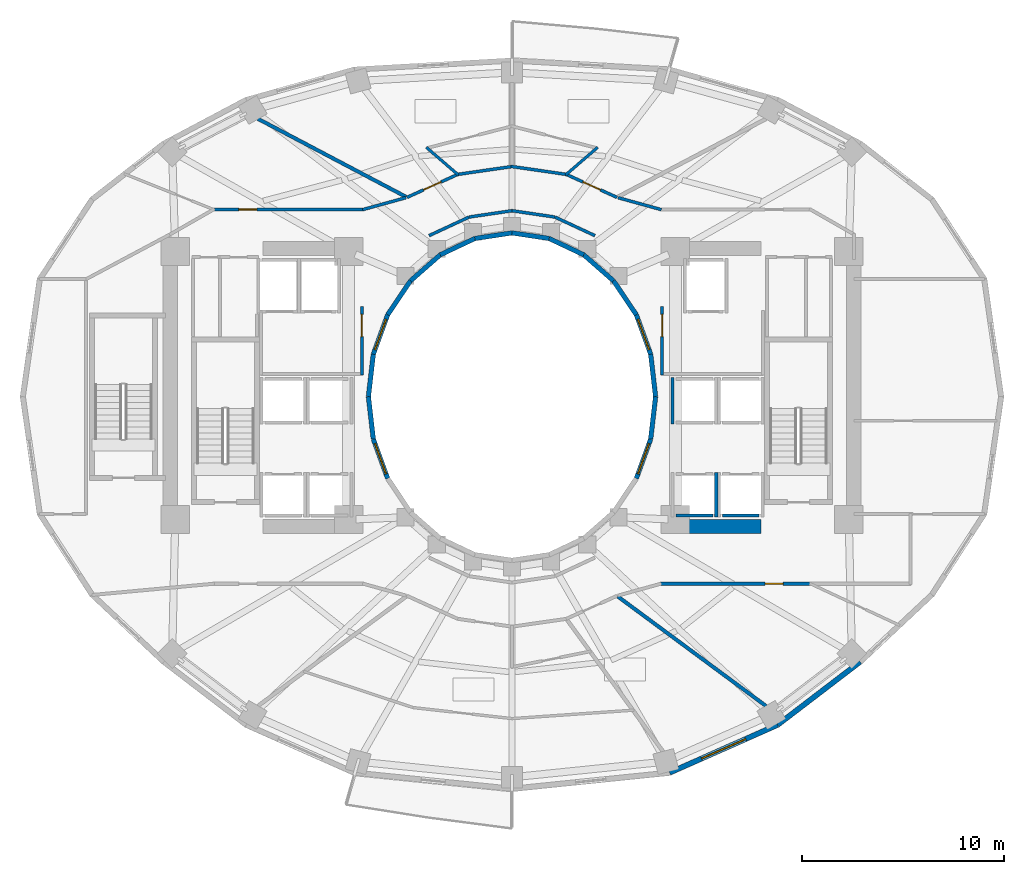
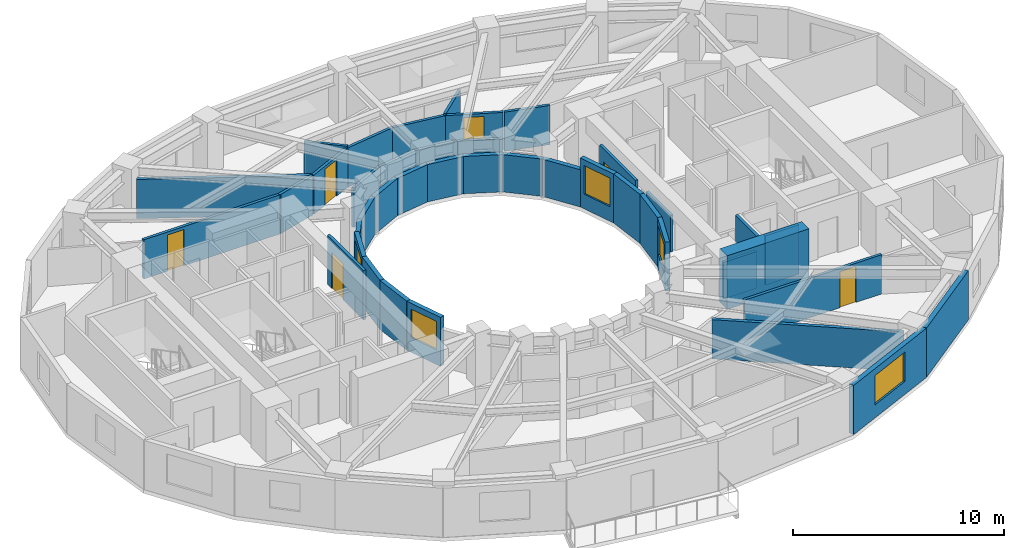
# One storey, part 5 of 9: 41 walls, 6 doors, 5 windows, 11 openings.
"""IFC4 building model written with IfcOpenShell, lengths in metres."""

from ifc_helpers import new_model, si_unit, direction, frame, frame_2d, origin, place, context, subcontext, project, spatial, rectangle, extrude, material, layer, layer_set, type_object, element, fill, save


model = new_model("IFC4")

# Units and contexts
model_context = context("Model", 3, precision=1e-05, world=origin(), true_north=direction((0.0, 1.0)))
body_context = subcontext(model_context, "Body", "Model", "MODEL_VIEW")
ifc_project = project(units=[si_unit("LENGTHUNIT", "METRE"), si_unit("AREAUNIT", "SQUARE_METRE"), si_unit("VOLUMEUNIT", "CUBIC_METRE"), si_unit("PLANEANGLEUNIT", "RADIAN"), si_unit("MASSUNIT", "GRAM", prefix="KILO")], contexts=[model_context])

# Site, building, storey
site_placement = place(None, origin())
site = spatial("IfcSite", under=ifc_project, at=site_placement, CompositionType="ELEMENT")
building_placement = place(site_placement, origin())
building = spatial("IfcBuilding", under=site, at=building_placement, Name="Solvane Sanctuary Tower", CompositionType="ELEMENT")
storey_placement = place(building_placement, frame((0.0, 0.0, 98.0)))
storey = spatial("IfcBuildingStorey", under=building, at=storey_placement, Name="L29", CompositionType="ELEMENT", Elevation=98.0)

# Wall
ifc_material_1 = material(Name="Concrete C60/75", Category="concrete")
ifc_layer_1 = layer(ifc_material_1, 0.699951171875, Name="Concrete C60/75")
ifc_layer_set_1 = layer_set([ifc_layer_1], Name="Concrete C60/75")
wall_type_1 = type_object("IfcWallType", Name="Wall W-CORE-700", PredefinedType="SHEAR", material=ifc_layer_set_1)
wall_1_placement = place(storey_placement, frame((39.85009765625, 16.550048828125, 0.0), z_axis=(0.0, 0.0, 1.0), x_axis=(1.0, 0.0, 0.0)))
element("IfcWall", 1, at=wall_1_placement, inside=storey, type_object=wall_type_1, Name="L29 Core Shear Wall EC-S", PredefinedType="SHEAR", context=body_context, shape_type="SweptSolid", body=[
    extrude(rectangle(XDim=4.5, YDim=0.699951171875, at=frame_2d((2.25, 0.0))), origin(), (0.0, 0.0, 1.0), 3.10009765625),
])

# Wall, opening, door
ifc_material_2 = material(Name="Acoustic Gypsum Partition Board")
ifc_layer_2 = layer(ifc_material_2, 0.14990234375, Name="Acoustic Gypsum Partition Board")
ifc_layer_set_2 = layer_set([ifc_layer_2], Name="Acoustic Gypsum Partition Board")
wall_type_2 = type_object("IfcWallType", Name="Wall W-CORR-150", PredefinedType="PARTITIONING", material=ifc_layer_set_2)
wall_2_placement = place(storey_placement, frame((24.550048828125, 24.080078125, 0.0), z_axis=(0.0, 0.0, 1.0), x_axis=(0.0, 1.0, 0.0)))
wall_2 = element("IfcWall", 2, at=wall_2_placement, inside=storey, type_object=wall_type_2, Name="L29 West Firefighting Lobby East Wall", PredefinedType="PARTITIONING", context=body_context, shape_type="SweptSolid", body=[
    extrude(rectangle(XDim=3.39990234375, YDim=0.14990234375, at=frame_2d((1.699951171875, 0.0))), origin(), (0.0, 0.0, 1.0), 2.85498046875),
])
opening_1_placement = place(wall_2_placement, frame((1.893798828125, 0.0, 0.0)))
opening_1 = element("IfcOpeningElement", 3, at=opening_1_placement, cuts=wall_2, Name="Opening D-L29-06", PredefinedType="OPENING", context=body_context, shape_type="SweptSolid", body=[
    extrude(rectangle(XDim=1.10009765625, YDim=2.10009765625, at=frame_2d((0.550048828125, 1.050048828125))), frame((0.0, 0.0849609375, 0.0), z_axis=(0.0, -1.0, 0.0), x_axis=(1.0, 0.0, 0.0)), (0.0, 0.0, 1.0), 0.169921875),
])
ifc_material_3 = material(Name="Architectural Stainless Steel 316", Category="steel")
door_type_1 = type_object("IfcDoorType", Name="Door D-FFL", OperationType="NOTDEFINED", PredefinedType="DOOR", material=ifc_material_3)
door_1_placement = place(opening_1_placement, origin())
door_1 = element("IfcDoor", 4, at=door_1_placement, inside=storey, type_object=door_type_1, Name="L29 West Firefighting Lobby Fire Door", OperationType="SINGLE_SWING_RIGHT", OverallHeight=2.10009765625, OverallWidth=1.10009765625, PredefinedType="DOOR", context=body_context, shape_type="SweptSolid", body=[
    extrude(rectangle(XDim=1.10009765625, YDim=2.10009765625, at=frame_2d((0.550048828125, 1.050048828125))), frame((0.0, 0.02490234375, 0.0), z_axis=(0.0, -1.0, 0.0), x_axis=(1.0, 0.0, 0.0)), (0.0, 0.0, 1.0), 0.050048828125),
])
fill(opening_1, door_1)

wall_3_placement = place(storey_placement, frame((39.449951171875, 24.080078125, 0.0), z_axis=(0.0, 0.0, 1.0), x_axis=(0.0, 1.0, 0.0)))
wall_3 = element("IfcWall", 5, at=wall_3_placement, inside=storey, type_object=wall_type_2, Name="L29 East Firefighting Lobby West Wall", PredefinedType="PARTITIONING", context=body_context, shape_type="SweptSolid", body=[
    extrude(rectangle(XDim=3.39990234375, YDim=0.14990234375, at=frame_2d((1.699951171875, 0.0))), origin(), (0.0, 0.0, 1.0), 2.85498046875),
])
opening_2_placement = place(wall_3_placement, frame((1.893798828125, 0.0, 0.0)))
opening_2 = element("IfcOpeningElement", 6, at=opening_2_placement, cuts=wall_3, Name="Opening D-L29-07", PredefinedType="OPENING", context=body_context, shape_type="SweptSolid", body=[
    extrude(rectangle(XDim=1.10009765625, YDim=2.10009765625, at=frame_2d((0.550048828125, 1.050048828125))), frame((0.0, 0.0849609375, 0.0), z_axis=(0.0, -1.0, 0.0), x_axis=(1.0, 0.0, 0.0)), (0.0, 0.0, 1.0), 0.169921875),
])
door_2_placement = place(opening_2_placement, origin())
door_2 = element("IfcDoor", 7, at=door_2_placement, inside=storey, type_object=door_type_1, Name="L29 East Firefighting Lobby Fire Door", OperationType="SINGLE_SWING_LEFT", OverallHeight=2.10009765625, OverallWidth=1.10009765625, PredefinedType="DOOR", context=body_context, shape_type="SweptSolid", body=[
    extrude(rectangle(XDim=1.10009765625, YDim=2.10009765625, at=frame_2d((0.550048828125, 1.050048828125))), frame((0.0, 0.02490234375, 0.0), z_axis=(0.0, -1.0, 0.0), x_axis=(1.0, 0.0, 0.0)), (0.0, 0.0, 1.0), 0.050048828125),
])
fill(opening_2, door_2)

# Walls
wall_4_placement = place(storey_placement, frame((36.110107421875, 30.98486328125, 0.0), z_axis=(0.0, 0.0, 1.0), x_axis=(-0.906943449489, 0.421252393975, 0.0)))
element("IfcWall", 8, at=wall_4_placement, inside=storey, type_object=wall_type_2, Name="L29 Light-Well Corridor Rim Wall N1", PredefinedType="PARTITIONING", context=body_context, shape_type="SweptSolid", body=[
    extrude(rectangle(XDim=2.18603515625, YDim=0.14990234375, at=frame_2d((1.093017578125, 0.0))), origin(), (0.0, 0.0, 1.0), 2.27197265625),
])
for number, where, z_axis, x_axis, name in (
    (9, (34.12744140625, 31.90576171875, 0.0), (0.0, 0.0, 1.0), (-0.989268584896, 0.146108408166, 0.0), "L29 Light-Well Corridor Rim Wall N2"),
    (10, (32.0, 32.219970703125, 0.0), (0.0, 0.0, 1.0), (-0.989268584896, -0.146108408166, 0.0), "L29 Light-Well Corridor Rim Wall N3"),
):
    element("IfcWall", number, at=place(storey_placement, frame(where, z_axis=z_axis, x_axis=x_axis)), inside=storey, type_object=wall_type_2, Name=name, PredefinedType="PARTITIONING", context=body_context, shape_type="SweptSolid", body=[
        extrude(rectangle(XDim=2.150634765625, YDim=0.14990234375, at=frame_2d((1.0751953125, 0.0))), origin(), (0.0, 0.0, 1.0), 2.27197265625),
    ])
wall_5_placement = place(storey_placement, frame((29.87255859375, 31.90576171875, 0.0), z_axis=(0.0, 0.0, 1.0), x_axis=(-0.906943449489, -0.421252393975, 0.0)))
element("IfcWall", 11, at=wall_5_placement, inside=storey, type_object=wall_type_2, Name="L29 Light-Well Corridor Rim Wall N4", PredefinedType="PARTITIONING", context=body_context, shape_type="SweptSolid", body=[
    extrude(rectangle(XDim=2.18603515625, YDim=0.14990234375, at=frame_2d((1.093017578125, 0.0))), origin(), (0.0, 0.0, 1.0), 2.27197265625),
])
for number, where, z_axis, x_axis, name in (
    (12, (37.258056640625, 32.86669921875, 0.0), (0.0, 0.0, 1.0), (0.963833843713, -0.266503886865, 0.0), "L29 NE Corner Throat Wall"),
    (13, (26.741943359375, 32.86669921875, 0.0), (0.0, 0.0, 1.0), (-0.963833843713, -0.266503886865, 0.0), "L29 NW Corner Throat Wall"),
):
    element("IfcWall", number, at=place(storey_placement, frame(where, z_axis=z_axis, x_axis=x_axis)), inside=storey, type_object=wall_type_2, Name=name, PredefinedType="PARTITIONING", context=body_context, shape_type="SweptSolid", body=[
        extrude(rectangle(XDim=2.231689453125, YDim=0.14990234375, at=frame_2d((1.11572265625, 0.0))), origin(), (0.0, 0.0, 1.0), 2.27197265625),
    ])

# Wall, opening, door
wall_6_placement = place(storey_placement, frame((17.14990234375, 32.280029296875, 0.0), z_axis=(0.0, 0.0, 1.0), x_axis=(1.0, 0.0, 0.0)))
wall_6 = element("IfcWall", 14, at=wall_6_placement, inside=storey, type_object=wall_type_2, Name="L29 NW Corner Corridor Wall", PredefinedType="PARTITIONING", context=body_context, shape_type="SweptSolid", body=[
    extrude(rectangle(XDim=7.52001953125, YDim=0.14990234375, at=frame_2d((3.760009765625, 0.0))), origin(), (0.0, 0.0, 1.0), 2.27197265625),
])
opening_3_placement = place(wall_6_placement, frame((1.300048828125, 0.0, 0.0)))
opening_3 = element("IfcOpeningElement", 15, at=opening_3_placement, cuts=wall_6, Name="Opening D-L29-17", PredefinedType="OPENING", context=body_context, shape_type="SweptSolid", body=[
    extrude(rectangle(XDim=0.89990234375, YDim=2.10009765625, at=frame_2d((0.449951171875, 1.050048828125))), frame((0.0, 0.0849609375, 0.0), z_axis=(0.0, -1.0, 0.0), x_axis=(1.0, 0.0, 0.0)), (0.0, 0.0, 1.0), 0.169921875),
])
ifc_material_4 = material(Name="Engineered Tropical Hardwood", Category="wood")
door_type_2 = type_object("IfcDoorType", Name="Door D-WET-900", OperationType="NOTDEFINED", PredefinedType="DOOR", material=ifc_material_4)
door_3_placement = place(opening_3_placement, origin())
door_3 = element("IfcDoor", 16, at=door_3_placement, inside=storey, type_object=door_type_2, Name="L29 NW Corner Salon Door", OperationType="SINGLE_SWING_LEFT", OverallHeight=2.10009765625, OverallWidth=0.89990234375, PredefinedType="DOOR", context=body_context, shape_type="SweptSolid", body=[
    extrude(rectangle(XDim=0.89990234375, YDim=2.10009765625, at=frame_2d((0.449951171875, 1.050048828125))), frame((0.0, 0.02490234375, 0.0), z_axis=(0.0, -1.0, 0.0), x_axis=(1.0, 0.0, 0.0)), (0.0, 0.0, 1.0), 0.050048828125),
])
fill(opening_3, door_3)

wall_7_placement = place(storey_placement, frame((39.330078125, 13.719970703125, 0.0), z_axis=(0.0, 0.0, 1.0), x_axis=(1.0, 0.0, 0.0)))
wall_7 = element("IfcWall", 17, at=wall_7_placement, inside=storey, type_object=wall_type_2, Name="L29 SE Corner Corridor Wall", PredefinedType="PARTITIONING", context=body_context, shape_type="SweptSolid", body=[
    extrude(rectangle(XDim=7.52001953125, YDim=0.14990234375, at=frame_2d((3.760009765625, 0.0))), origin(), (0.0, 0.0, 1.0), 2.27197265625),
])
opening_4_placement = place(wall_7_placement, frame((5.219970703125, 0.0, 0.0)))
opening_4 = element("IfcOpeningElement", 18, at=opening_4_placement, cuts=wall_7, Name="Opening D-L29-20", PredefinedType="OPENING", context=body_context, shape_type="SweptSolid", body=[
    extrude(rectangle(XDim=0.89990234375, YDim=2.10009765625, at=frame_2d((0.449951171875, 1.050048828125))), frame((0.0, 0.0849609375, 0.0), z_axis=(0.0, -1.0, 0.0), x_axis=(1.0, 0.0, 0.0)), (0.0, 0.0, 1.0), 0.169921875),
])
door_4_placement = place(opening_4_placement, origin())
door_4 = element("IfcDoor", 19, at=door_4_placement, inside=storey, type_object=door_type_2, Name="L29 SE Corner Salon Door", OperationType="SINGLE_SWING_RIGHT", OverallHeight=2.10009765625, OverallWidth=0.89990234375, PredefinedType="DOOR", context=body_context, shape_type="SweptSolid", body=[
    extrude(rectangle(XDim=0.89990234375, YDim=2.10009765625, at=frame_2d((0.449951171875, 1.050048828125))), frame((0.0, 0.02490234375, 0.0), z_axis=(0.0, -1.0, 0.0), x_axis=(1.0, 0.0, 0.0)), (0.0, 0.0, 1.0), 0.050048828125),
])
fill(opening_4, door_4)

# Wall
wall_8_placement = place(storey_placement, frame((34.743896484375, 34.01416015625, 0.0), z_axis=(0.0, 0.0, 1.0), x_axis=(-0.989761784218, 0.142729150844, 0.0)))
element("IfcWall", 20, at=wall_8_placement, inside=storey, type_object=wall_type_2, Name="L29 En-suite Inner Wall N1", PredefinedType="PARTITIONING", context=body_context, shape_type="SweptSolid", body=[
    extrude(rectangle(XDim=2.822265625, YDim=0.14990234375, at=frame_2d((1.4111328125, 0.0))), origin(), (0.0, 0.0, 1.0), 2.27197265625),
])

# Wall, opening, door
wall_9_placement = place(storey_placement, frame((37.211181640625, 32.87744140625, 0.0), z_axis=(0.0, 0.0, 1.0), x_axis=(-0.910568469686, 0.41335827319, 0.0)))
wall_9 = element("IfcWall", 21, at=wall_9_placement, inside=storey, type_object=wall_type_2, Name="L29 Unit Corridor Wall N1", PredefinedType="PARTITIONING", context=body_context, shape_type="SweptSolid", body=[
    extrude(rectangle(XDim=2.771728515625, YDim=0.14990234375, at=frame_2d((1.3857421875, 0.0))), origin(), (0.0, 0.0, 1.0), 2.27197265625),
])
opening_5_placement = place(wall_9_placement, frame((0.910888671875, 0.0, 0.0)))
opening_5 = element("IfcOpeningElement", 22, at=opening_5_placement, cuts=wall_9, Name="Opening D-L29-22", PredefinedType="OPENING", context=body_context, shape_type="SweptSolid", body=[
    extrude(rectangle(XDim=0.949951171875, YDim=2.10009765625, at=frame_2d((0.47509765625, 1.050048828125))), frame((0.0, 0.0849609375, 0.0), z_axis=(0.0, -1.0, 0.0), x_axis=(1.0, 0.0, 0.0)), (0.0, 0.0, 1.0), 0.169921875),
])
door_type_3 = type_object("IfcDoorType", Name="Door D-ROOM-950", OperationType="NOTDEFINED", PredefinedType="DOOR", material=ifc_material_4)
door_5_placement = place(opening_5_placement, origin())
door_5 = element("IfcDoor", 23, at=door_5_placement, inside=storey, type_object=door_type_3, Name="L29 Unit Entrance Door N1", OperationType="SINGLE_SWING_RIGHT", OverallHeight=2.10009765625, OverallWidth=0.949951171875, PredefinedType="DOOR", context=body_context, shape_type="SweptSolid", body=[
    extrude(rectangle(XDim=0.949951171875, YDim=2.10009765625, at=frame_2d((0.47509765625, 1.050048828125))), frame((0.0, 0.02490234375, 0.0), z_axis=(0.0, -1.0, 0.0), x_axis=(1.0, 0.0, 0.0)), (0.0, 0.0, 1.0), 0.050048828125),
])
fill(opening_5, door_5)

# Wall
wall_10_placement = place(storey_placement, frame((32.049560546875, 34.4169921875, 0.0), z_axis=(0.0, 0.0, 1.0), x_axis=(-0.989761784218, -0.142729150844, 0.0)))
element("IfcWall", 24, at=wall_10_placement, inside=storey, type_object=wall_type_2, Name="L29 En-suite Inner Wall N2", PredefinedType="PARTITIONING", context=body_context, shape_type="SweptSolid", body=[
    extrude(rectangle(XDim=2.822265625, YDim=0.14990234375, at=frame_2d((1.4111328125, 0.0))), origin(), (0.0, 0.0, 1.0), 2.27197265625),
])

# Wall, opening, door
wall_11_placement = place(storey_placement, frame((29.312744140625, 34.023193359375, 0.0), z_axis=(0.0, 0.0, 1.0), x_axis=(-0.910568469686, -0.41335827319, 0.0)))
wall_11 = element("IfcWall", 25, at=wall_11_placement, inside=storey, type_object=wall_type_2, Name="L29 Unit Corridor Wall N2", PredefinedType="PARTITIONING", context=body_context, shape_type="SweptSolid", body=[
    extrude(rectangle(XDim=2.771728515625, YDim=0.14990234375, at=frame_2d((1.3857421875, 0.0))), origin(), (0.0, 0.0, 1.0), 2.27197265625),
])
opening_6_placement = place(wall_11_placement, frame((0.910888671875, 0.0, 0.0)))
opening_6 = element("IfcOpeningElement", 26, at=opening_6_placement, cuts=wall_11, Name="Opening D-L29-24", PredefinedType="OPENING", context=body_context, shape_type="SweptSolid", body=[
    extrude(rectangle(XDim=0.949951171875, YDim=2.10009765625, at=frame_2d((0.47509765625, 1.050048828125))), frame((0.0, 0.0849609375, 0.0), z_axis=(0.0, -1.0, 0.0), x_axis=(1.0, 0.0, 0.0)), (0.0, 0.0, 1.0), 0.169921875),
])
door_6_placement = place(opening_6_placement, origin())
door_6 = element("IfcDoor", 27, at=door_6_placement, inside=storey, type_object=door_type_3, Name="L29 Unit Entrance Door N2", OperationType="SINGLE_SWING_RIGHT", OverallHeight=2.10009765625, OverallWidth=0.949951171875, PredefinedType="DOOR", context=body_context, shape_type="SweptSolid", body=[
    extrude(rectangle(XDim=0.949951171875, YDim=2.10009765625, at=frame_2d((0.47509765625, 1.050048828125))), frame((0.0, 0.02490234375, 0.0), z_axis=(0.0, -1.0, 0.0), x_axis=(1.0, 0.0, 0.0)), (0.0, 0.0, 1.0), 0.050048828125),
])
fill(opening_6, door_6)

# Wall, opening, window
ifc_material_5 = material(Name="Precast concrete C40/50", Category="concrete")
ifc_layer_3 = layer(ifc_material_5, 0.260009765625, Name="Precast concrete C40/50")
ifc_layer_set_3 = layer_set([ifc_layer_3], Name="Precast concrete C40/50")
wall_type_3 = type_object("IfcWallType", Name="Wall W-EXT-250", PredefinedType="STANDARD", material=ifc_layer_set_3)
wall_12_placement = place(storey_placement, frame((39.81640625, 4.349365234375, 0.0), z_axis=(0.0, 0.0, 1.0), x_axis=(0.914336605747, 0.404955023911, 0.0)))
wall_12 = element("IfcWall", 28, at=wall_12_placement, inside=storey, type_object=wall_type_3, Name="L29 Ceramic-Printed Facade Wall 19", PredefinedType="STANDARD", context=body_context, shape_type="SweptSolid", body=[
    extrude(rectangle(XDim=5.85888671875, YDim=0.260009765625, at=frame_2d((2.929443359375, 0.0))), origin(), (0.0, 0.0, 1.0), 2.85009765625),
])
opening_7_placement = place(wall_12_placement, frame((1.7294921875, 0.0, 0.75)))
opening_7 = element("IfcOpeningElement", 29, at=opening_7_placement, cuts=wall_12, Name="Opening WN-RIB-2400", PredefinedType="OPENING", context=body_context, shape_type="SweptSolid", body=[
    extrude(rectangle(XDim=2.39990234375, YDim=1.699951171875, at=frame_2d((1.199951171875, 0.85009765625))), frame((0.0, 0.139892578125, 0.0), z_axis=(0.0, -1.0, 0.0), x_axis=(1.0, 0.0, 0.0)), (0.0, 0.0, 1.0), 0.280029296875),
])
ifc_material_6 = material(Name="Dark Ceramic-Fritted Low-E Glass", Category="glass")
window_type_1 = type_object("IfcWindowType", Name="Window WN-RIB-2400", PartitioningType="SINGLE_PANEL", PredefinedType="WINDOW", material=ifc_material_6)
window_1_placement = place(opening_7_placement, origin())
window_1 = element("IfcWindow", 30, at=window_1_placement, inside=storey, type_object=window_type_1, Name="L29 Operable Facade Window 19", OverallHeight=1.699951171875, OverallWidth=2.39990234375, PartitioningType="SINGLE_PANEL", PredefinedType="WINDOW", context=body_context, shape_type="SweptSolid", body=[
    extrude(rectangle(XDim=2.39990234375, YDim=1.699951171875, at=frame_2d((1.199951171875, 0.85009765625))), frame((0.0, 0.030029296875, 0.0), z_axis=(0.0, -1.0, 0.0), x_axis=(1.0, 0.0, 0.0)), (0.0, 0.0, 1.0), 0.06005859375),
])
fill(opening_7, window_1)

# Walls
wall_13_placement = place(storey_placement, frame((45.17333984375, 6.721923828125, 0.0), z_axis=(0.0, 0.0, 1.0), x_axis=(0.794809810864, 0.606858603427, 0.0)))
element("IfcWall", 31, at=wall_13_placement, inside=storey, type_object=wall_type_3, Name="L29 Ceramic-Printed Facade Wall 20", PredefinedType="STANDARD", context=body_context, shape_type="SweptSolid", body=[
    extrude(rectangle(XDim=5.149169921875, YDim=0.260009765625, at=frame_2d((2.57470703125, 0.0))), origin(), (0.0, 0.0, 1.0), 2.85009765625),
])
ifc_layer_4 = layer(ifc_material_5, 0.22998046875, Name="Precast concrete C40/50")
ifc_layer_set_4 = layer_set([ifc_layer_4], Name="Precast concrete C40/50")
wall_type_4 = type_object("IfcWallType", Name="Wall W-EXT-SP220", PredefinedType="STANDARD", material=ifc_layer_set_4)
wall_14_placement = place(storey_placement, frame((39.1201171875, 23.0, 0.0), z_axis=(0.0, 0.0, 1.0), x_axis=(-0.114711713601, 0.993398823617, 0.0)))
element("IfcWall", 32, at=wall_14_placement, inside=storey, type_object=wall_type_4, Name="L29 Central Light-Well Wall 00", PredefinedType="STANDARD", context=body_context, shape_type="SweptSolid", body=[
    extrude(rectangle(XDim=2.115478515625, YDim=0.22998046875, at=frame_2d((1.0576171875, 0.0))), origin(), (0.0, 0.0, 1.0), 2.840087890625),
])

# Wall, opening, window
wall_15_placement = place(storey_placement, frame((38.87744140625, 25.1015625, 0.0), z_axis=(0.0, 0.0, 1.0), x_axis=(-0.341423187295, 0.93990968033, 0.0)))
wall_15 = element("IfcWall", 33, at=wall_15_placement, inside=storey, type_object=wall_type_4, Name="L29 Central Light-Well Wall 01", PredefinedType="STANDARD", context=body_context, shape_type="SweptSolid", body=[
    extrude(rectangle(XDim=2.083740234375, YDim=0.22998046875, at=frame_2d((1.0419921875, 0.0))), origin(), (0.0, 0.0, 1.0), 2.840087890625),
])
opening_8_placement = place(wall_15_placement, frame((0.24169921875, 0.0, 0.85009765625)))
opening_8 = element("IfcOpeningElement", 34, at=opening_8_placement, cuts=wall_15, Name="Opening WN-WELL-1600", PredefinedType="OPENING", context=body_context, shape_type="SweptSolid", body=[
    extrude(rectangle(XDim=1.60009765625, YDim=1.64990234375, at=frame_2d((0.800048828125, 0.824951171875))), frame((0.0, 0.125, 0.0), z_axis=(0.0, -1.0, 0.0), x_axis=(1.0, 0.0, 0.0)), (0.0, 0.0, 1.0), 0.25),
])
ifc_material_7 = material(Name="Clear Laminated Light-Well Glass", Category="glass")
window_type_2 = type_object("IfcWindowType", Name="Window WN-WELL-1600", PartitioningType="SINGLE_PANEL", PredefinedType="WINDOW", material=ifc_material_7)
window_2_placement = place(opening_8_placement, origin())
window_2 = element("IfcWindow", 35, at=window_2_placement, inside=storey, type_object=window_type_2, Name="L29 Light-Well Daylight Window 01", OverallHeight=1.64990234375, OverallWidth=1.60009765625, PartitioningType="SINGLE_PANEL", PredefinedType="WINDOW", context=body_context, shape_type="SweptSolid", body=[
    extrude(rectangle(XDim=1.60009765625, YDim=1.64990234375, at=frame_2d((0.800048828125, 0.824951171875))), frame((0.0, 0.030029296875, 0.0), z_axis=(0.0, -1.0, 0.0), x_axis=(1.0, 0.0, 0.0)), (0.0, 0.0, 1.0), 0.06005859375),
])
fill(opening_8, window_2)

# Walls
wall_16_placement = place(storey_placement, frame((38.166015625, 27.06005859375, 0.0), z_axis=(0.0, 0.0, 1.0), x_axis=(-0.558197800898, 0.829707909492, 0.0)))
element("IfcWall", 36, at=wall_16_placement, inside=storey, type_object=wall_type_4, Name="L29 Central Light-Well Wall 02", PredefinedType="STANDARD", context=body_context, shape_type="SweptSolid", body=[
    extrude(rectangle(XDim=2.02685546875, YDim=0.22998046875, at=frame_2d((1.013427734375, 0.0))), origin(), (0.0, 0.0, 1.0), 2.159912109375),
])
wall_17_placement = place(storey_placement, frame((37.03466796875, 28.74169921875, 0.0), z_axis=(0.0, 0.0, 1.0), x_axis=(-0.752576694707, 0.658504607869, 0.0)))
element("IfcWall", 37, at=wall_17_placement, inside=storey, type_object=wall_type_4, Name="L29 Central Light-Well Wall 03", PredefinedType="STANDARD", context=body_context, shape_type="SweptSolid", body=[
    extrude(rectangle(XDim=1.95947265625, YDim=0.22998046875, at=frame_2d((0.979736328125, 0.0))), origin(), (0.0, 0.0, 1.0), 2.159912109375),
])
wall_18_placement = place(storey_placement, frame((35.56005859375, 30.031982421875, 0.0), z_axis=(0.0, 0.0, 1.0), x_axis=(-0.904179699603, 0.427152280606, 0.0)))
element("IfcWall", 38, at=wall_18_placement, inside=storey, type_object=wall_type_4, Name="L29 Central Light-Well Wall 04", PredefinedType="STANDARD", context=body_context, shape_type="SweptSolid", body=[
    extrude(rectangle(XDim=1.899169921875, YDim=0.22998046875, at=frame_2d((0.94970703125, 0.0))), origin(), (0.0, 0.0, 1.0), 2.159912109375),
])
for number, where, z_axis, x_axis, name in (
    (39, (33.8427734375, 30.84326171875, 0.0), (0.0, 0.0, 1.0), (-0.988901730308, 0.148571086668, 0.0), "L29 Central Light-Well Wall 05"),
    (40, (32.0, 31.1201171875, 0.0), (0.0, 0.0, 1.0), (-0.988901730308, -0.148571086668, 0.0), "L29 Central Light-Well Wall 06"),
):
    element("IfcWall", number, at=place(storey_placement, frame(where, z_axis=z_axis, x_axis=x_axis)), inside=storey, type_object=wall_type_4, Name=name, PredefinedType="STANDARD", context=body_context, shape_type="SweptSolid", body=[
        extrude(rectangle(XDim=1.863525390625, YDim=0.22998046875, at=frame_2d((0.931640625, 0.0))), origin(), (0.0, 0.0, 1.0), 2.159912109375),
    ])
wall_19_placement = place(storey_placement, frame((30.1572265625, 30.84326171875, 0.0), z_axis=(0.0, 0.0, 1.0), x_axis=(-0.904179699603, -0.427152280606, 0.0)))
element("IfcWall", 41, at=wall_19_placement, inside=storey, type_object=wall_type_4, Name="L29 Central Light-Well Wall 07", PredefinedType="STANDARD", context=body_context, shape_type="SweptSolid", body=[
    extrude(rectangle(XDim=1.899169921875, YDim=0.22998046875, at=frame_2d((0.94970703125, 0.0))), origin(), (0.0, 0.0, 1.0), 2.159912109375),
])
wall_20_placement = place(storey_placement, frame((28.43994140625, 30.031982421875, 0.0), z_axis=(0.0, 0.0, 1.0), x_axis=(-0.752576694707, -0.658504607869, 0.0)))
element("IfcWall", 42, at=wall_20_placement, inside=storey, type_object=wall_type_4, Name="L29 Central Light-Well Wall 08", PredefinedType="STANDARD", context=body_context, shape_type="SweptSolid", body=[
    extrude(rectangle(XDim=1.95947265625, YDim=0.22998046875, at=frame_2d((0.979736328125, 0.0))), origin(), (0.0, 0.0, 1.0), 2.159912109375),
])
wall_21_placement = place(storey_placement, frame((26.96533203125, 28.74169921875, 0.0), z_axis=(0.0, 0.0, 1.0), x_axis=(-0.558197800898, -0.829707909492, 0.0)))
element("IfcWall", 43, at=wall_21_placement, inside=storey, type_object=wall_type_4, Name="L29 Central Light-Well Wall 09", PredefinedType="STANDARD", context=body_context, shape_type="SweptSolid", body=[
    extrude(rectangle(XDim=2.02685546875, YDim=0.22998046875, at=frame_2d((1.013427734375, 0.0))), origin(), (0.0, 0.0, 1.0), 2.159912109375),
])

# Wall, opening, window
wall_22_placement = place(storey_placement, frame((25.833984375, 27.06005859375, 0.0), z_axis=(0.0, 0.0, 1.0), x_axis=(-0.341423187295, -0.93990968033, 0.0)))
wall_22 = element("IfcWall", 44, at=wall_22_placement, inside=storey, type_object=wall_type_4, Name="L29 Central Light-Well Wall 10", PredefinedType="STANDARD", context=body_context, shape_type="SweptSolid", body=[
    extrude(rectangle(XDim=2.083740234375, YDim=0.22998046875, at=frame_2d((1.0419921875, 0.0))), origin(), (0.0, 0.0, 1.0), 2.840087890625),
])
opening_9_placement = place(wall_22_placement, frame((0.24169921875, 0.0, 0.85009765625)))
opening_9 = element("IfcOpeningElement", 45, at=opening_9_placement, cuts=wall_22, Name="Opening WN-WELL-1600", PredefinedType="OPENING", context=body_context, shape_type="SweptSolid", body=[
    extrude(rectangle(XDim=1.60009765625, YDim=1.64990234375, at=frame_2d((0.800048828125, 0.824951171875))), frame((0.0, 0.125, 0.0), z_axis=(0.0, -1.0, 0.0), x_axis=(1.0, 0.0, 0.0)), (0.0, 0.0, 1.0), 0.25),
])
window_3_placement = place(opening_9_placement, origin())
window_3 = element("IfcWindow", 46, at=window_3_placement, inside=storey, type_object=window_type_2, Name="L29 Light-Well Daylight Window 10", OverallHeight=1.64990234375, OverallWidth=1.60009765625, PartitioningType="SINGLE_PANEL", PredefinedType="WINDOW", context=body_context, shape_type="SweptSolid", body=[
    extrude(rectangle(XDim=1.60009765625, YDim=1.64990234375, at=frame_2d((0.800048828125, 0.824951171875))), frame((0.0, 0.030029296875, 0.0), z_axis=(0.0, -1.0, 0.0), x_axis=(1.0, 0.0, 0.0)), (0.0, 0.0, 1.0), 0.06005859375),
])
fill(opening_9, window_3)

# Walls
for number, where, z_axis, x_axis, name in (
    (47, (25.12255859375, 25.1015625, 0.0), (0.0, 0.0, 1.0), (-0.114711713601, -0.993398823617, 0.0), "L29 Central Light-Well Wall 11"),
    (48, (24.8798828125, 23.0, 0.0), (0.0, 0.0, 1.0), (0.114711713601, -0.993398823617, 0.0), "L29 Central Light-Well Wall 12"),
):
    element("IfcWall", number, at=place(storey_placement, frame(where, z_axis=z_axis, x_axis=x_axis)), inside=storey, type_object=wall_type_4, Name=name, PredefinedType="STANDARD", context=body_context, shape_type="SweptSolid", body=[
        extrude(rectangle(XDim=2.115478515625, YDim=0.22998046875, at=frame_2d((1.0576171875, 0.0))), origin(), (0.0, 0.0, 1.0), 2.840087890625),
    ])

# Wall, opening, window
wall_23_placement = place(storey_placement, frame((25.12255859375, 20.8984375, 0.0), z_axis=(0.0, 0.0, 1.0), x_axis=(0.341423187295, -0.93990968033, 0.0)))
wall_23 = element("IfcWall", 49, at=wall_23_placement, inside=storey, type_object=wall_type_4, Name="L29 Central Light-Well Wall 13", PredefinedType="STANDARD", context=body_context, shape_type="SweptSolid", body=[
    extrude(rectangle(XDim=2.083740234375, YDim=0.22998046875, at=frame_2d((1.0419921875, 0.0))), origin(), (0.0, 0.0, 1.0), 2.840087890625),
])
opening_10_placement = place(wall_23_placement, frame((0.24169921875, 0.0, 0.85009765625)))
opening_10 = element("IfcOpeningElement", 50, at=opening_10_placement, cuts=wall_23, Name="Opening WN-WELL-1600", PredefinedType="OPENING", context=body_context, shape_type="SweptSolid", body=[
    extrude(rectangle(XDim=1.60009765625, YDim=1.64990234375, at=frame_2d((0.800048828125, 0.824951171875))), frame((0.0, 0.125, 0.0), z_axis=(0.0, -1.0, 0.0), x_axis=(1.0, 0.0, 0.0)), (0.0, 0.0, 1.0), 0.25),
])
window_4_placement = place(opening_10_placement, origin())
window_4 = element("IfcWindow", 51, at=window_4_placement, inside=storey, type_object=window_type_2, Name="L29 Light-Well Daylight Window 13", OverallHeight=1.64990234375, OverallWidth=1.60009765625, PartitioningType="SINGLE_PANEL", PredefinedType="WINDOW", context=body_context, shape_type="SweptSolid", body=[
    extrude(rectangle(XDim=1.60009765625, YDim=1.64990234375, at=frame_2d((0.800048828125, 0.824951171875))), frame((0.0, 0.030029296875, 0.0), z_axis=(0.0, -1.0, 0.0), x_axis=(1.0, 0.0, 0.0)), (0.0, 0.0, 1.0), 0.06005859375),
])
fill(opening_10, window_4)

wall_24_placement = place(storey_placement, frame((38.166015625, 18.93994140625, 0.0), z_axis=(0.0, 0.0, 1.0), x_axis=(0.341423187295, 0.93990968033, 0.0)))
wall_24 = element("IfcWall", 52, at=wall_24_placement, inside=storey, type_object=wall_type_4, Name="L29 Central Light-Well Wall 22", PredefinedType="STANDARD", context=body_context, shape_type="SweptSolid", body=[
    extrude(rectangle(XDim=2.083740234375, YDim=0.22998046875, at=frame_2d((1.0419921875, 0.0))), origin(), (0.0, 0.0, 1.0), 2.840087890625),
])
opening_11_placement = place(wall_24_placement, frame((0.24169921875, 0.0, 0.85009765625)))
opening_11 = element("IfcOpeningElement", 53, at=opening_11_placement, cuts=wall_24, Name="Opening WN-WELL-1600", PredefinedType="OPENING", context=body_context, shape_type="SweptSolid", body=[
    extrude(rectangle(XDim=1.60009765625, YDim=1.64990234375, at=frame_2d((0.800048828125, 0.824951171875))), frame((0.0, 0.125, 0.0), z_axis=(0.0, -1.0, 0.0), x_axis=(1.0, 0.0, 0.0)), (0.0, 0.0, 1.0), 0.25),
])
window_5_placement = place(opening_11_placement, origin())
window_5 = element("IfcWindow", 54, at=window_5_placement, inside=storey, type_object=window_type_2, Name="L29 Light-Well Daylight Window 22", OverallHeight=1.64990234375, OverallWidth=1.60009765625, PartitioningType="SINGLE_PANEL", PredefinedType="WINDOW", context=body_context, shape_type="SweptSolid", body=[
    extrude(rectangle(XDim=1.60009765625, YDim=1.64990234375, at=frame_2d((0.800048828125, 0.824951171875))), frame((0.0, 0.030029296875, 0.0), z_axis=(0.0, -1.0, 0.0), x_axis=(1.0, 0.0, 0.0)), (0.0, 0.0, 1.0), 0.06005859375),
])
fill(opening_11, window_5)

# Walls
wall_25_placement = place(storey_placement, frame((38.87744140625, 20.8984375, 0.0), z_axis=(0.0, 0.0, 1.0), x_axis=(0.114711713601, 0.993398823617, 0.0)))
element("IfcWall", 55, at=wall_25_placement, inside=storey, type_object=wall_type_4, Name="L29 Central Light-Well Wall 23", PredefinedType="STANDARD", context=body_context, shape_type="SweptSolid", body=[
    extrude(rectangle(XDim=2.115478515625, YDim=0.22998046875, at=frame_2d((1.0576171875, 0.0))), origin(), (0.0, 0.0, 1.0), 2.840087890625),
])
ifc_material_8 = material(Name="Concrete C50/60", Category="concrete")
ifc_layer_5 = layer(ifc_material_8, 0.14990234375, Name="Concrete C50/60")
ifc_layer_set_5 = layer_set([ifc_layer_5], Name="Concrete C50/60")
wall_type_5 = type_object("IfcWallType", Name="Wall W-SHAFT-150", PredefinedType="SOLIDWALL", material=ifc_layer_set_5)
wall_26_placement = place(storey_placement, frame((40.139892578125, 17.10009765625, 0.0), z_axis=(0.0, 0.0, 1.0), x_axis=(1.0, 0.0, 0.0)))
element("IfcWall", 56, at=wall_26_placement, inside=storey, type_object=wall_type_5, Name="L29 PL-3 Lift Shaft Wall B", PredefinedType="SOLIDWALL", context=body_context, shape_type="SweptSolid", body=[
    extrude(rectangle(XDim=1.820068359375, YDim=0.14990234375, at=frame_2d((0.91015625, 0.0))), origin(), (0.0, 0.0, 1.0), 2.1201171875),
])
wall_27_placement = place(storey_placement, frame((42.1298828125, 17.02001953125, 0.0), z_axis=(0.0, 0.0, 1.0), x_axis=(0.0, 1.0, 0.0)))
element("IfcWall", 57, at=wall_27_placement, inside=storey, type_object=wall_type_5, Name="L29 PL-3 Lift Shaft Wall S2", PredefinedType="SOLIDWALL", context=body_context, shape_type="SweptSolid", body=[
    extrude(rectangle(XDim=2.219970703125, YDim=0.14990234375, at=frame_2d((1.10986328125, 0.0))), origin(), (0.0, 0.0, 1.0), 2.85498046875),
])
wall_28_placement = place(storey_placement, frame((42.43994140625, 17.10009765625, 0.0), z_axis=(0.0, 0.0, 1.0), x_axis=(1.0, 0.0, 0.0)))
element("IfcWall", 58, at=wall_28_placement, inside=storey, type_object=wall_type_5, Name="L29 PL-4 Lift Shaft Wall B", PredefinedType="SOLIDWALL", context=body_context, shape_type="SweptSolid", body=[
    extrude(rectangle(XDim=1.820068359375, YDim=0.14990234375, at=frame_2d((0.91015625, 0.0))), origin(), (0.0, 0.0, 1.0), 2.85498046875),
])
wall_29_placement = place(storey_placement, frame((39.969970703125, 21.639892578125, 0.0), z_axis=(0.0, 0.0, 1.0), x_axis=(0.0, 1.0, 0.0)))
element("IfcWall", 59, at=wall_29_placement, inside=storey, type_object=wall_type_5, Name="L29 PH-2 Lift Shaft Wall S1", PredefinedType="SOLIDWALL", context=body_context, shape_type="SweptSolid", body=[
    extrude(rectangle(XDim=2.320068359375, YDim=0.14990234375, at=frame_2d((1.16015625, 0.0))), origin(), (0.0, 0.0, 1.0), 2.1201171875),
])
ifc_layer_6 = layer(ifc_material_2, 0.179931640625, Name="Acoustic Gypsum Partition Board")
ifc_layer_set_6 = layer_set([ifc_layer_6], Name="Acoustic Gypsum Partition Board")
wall_type_6 = type_object("IfcWallType", Name="Wall W-UNIT-180", PredefinedType="PARTITIONING", material=ifc_layer_set_6)
wall_30_placement = place(storey_placement, frame((26.746337890625, 32.906982421875, 0.0), z_axis=(0.0, 0.0, 1.0), x_axis=(-0.884730147854, 0.466103599512, 0.0)))
element("IfcWall", 60, at=wall_30_placement, inside=storey, type_object=wall_type_6, Name="L29 Radial Compartment Wall 120", PredefinedType="PARTITIONING", context=body_context, shape_type="SweptSolid", body=[
    extrude(rectangle(XDim=8.309814453125, YDim=0.179931640625, at=frame_2d((4.15478515625, 0.0))), origin(), (0.0, 0.0, 1.0), 2.27197265625),
])
wall_31_placement = place(storey_placement, frame((37.249267578125, 13.0859375, 0.0), z_axis=(0.0, 0.0, 1.0), x_axis=(0.80430981394, -0.594210167533, 0.0)))
element("IfcWall", 61, at=wall_31_placement, inside=storey, type_object=wall_type_6, Name="L29 Radial Compartment Wall 300", PredefinedType="PARTITIONING", context=body_context, shape_type="SweptSolid", body=[
    extrude(rectangle(XDim=9.146240234375, YDim=0.179931640625, at=frame_2d((4.5732421875, 0.0))), origin(), (0.0, 0.0, 1.0), 2.27197265625),
])
ifc_layer_7 = layer(ifc_material_2, 0.139892578125, Name="Acoustic Gypsum Partition Board")
ifc_layer_set_7 = layer_set([ifc_layer_7], Name="Acoustic Gypsum Partition Board")
wall_type_7 = type_object("IfcWallType", Name="Wall W-WET-140", PredefinedType="PLUMBINGWALL", material=ifc_layer_set_7)
for number, where, z_axis, x_axis, name in (
    (62, (34.656494140625, 33.988525390625, 0.0), (0.0, 0.0, 1.0), (0.757267205396, 0.653105182671, 0.0), "L29 En-suite Side Partition N1"),
    (63, (29.343505859375, 33.988525390625, 0.0), (0.0, 0.0, 1.0), (-0.757267205396, 0.653105182671, 0.0), "L29 En-suite Side Partition N2"),
):
    element("IfcWall", number, at=place(storey_placement, frame(where, z_axis=z_axis, x_axis=x_axis)), inside=storey, type_object=wall_type_7, Name=name, PredefinedType="PLUMBINGWALL", context=body_context, shape_type="SweptSolid", body=[
        extrude(rectangle(XDim=2.10009765625, YDim=0.139892578125, at=frame_2d((1.050048828125, 0.0))), origin(), (0.0, 0.0, 1.0), 2.385009765625),
    ])

save(model, "model.ifc")
